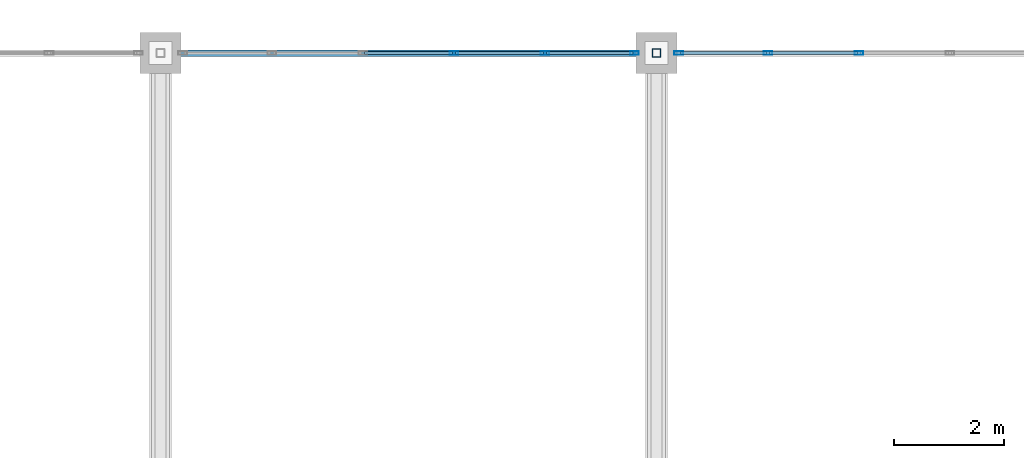
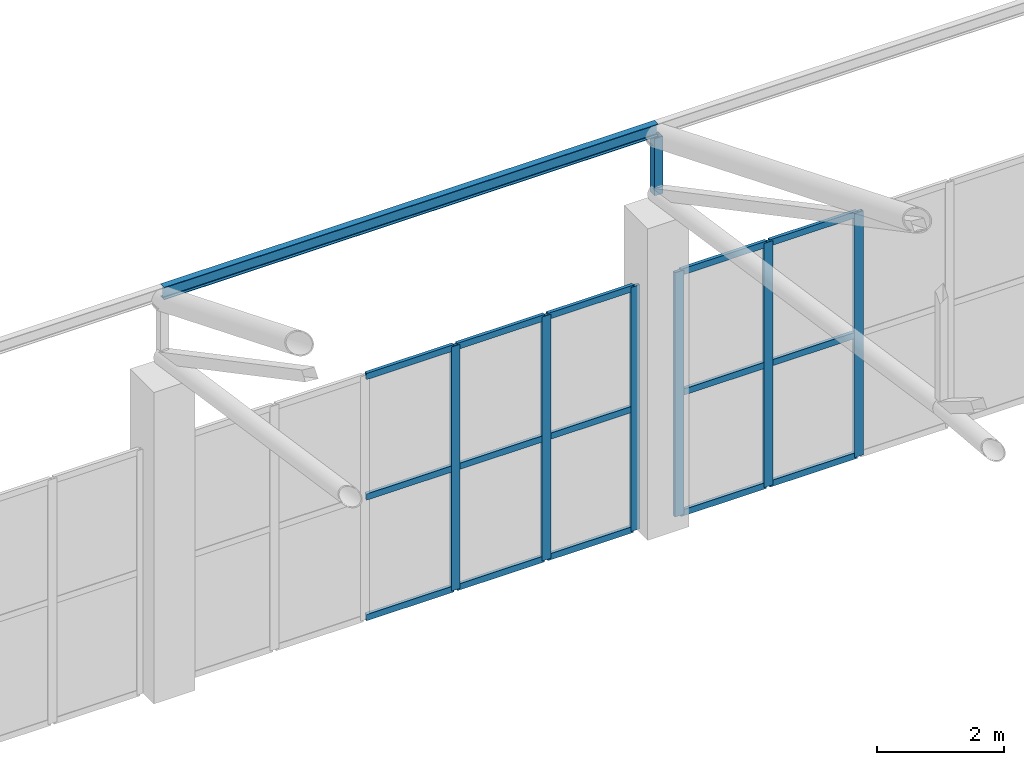
# One storey, part 160 of 223: 23 members, 2 elements without a shape of their own.
"""IFC4 building model written with IfcOpenShell, lengths in metres."""

from ifc_helpers import new_model, si_unit, direction, frame, origin, origin_2d, place, context, subcontext, project, spatial, hollow_rectangle, i_section, extrude, material, layer, layer_set, material_profile, profile_set, type_object, element, aggregate, save


model = new_model("IFC4")

# Units and contexts
model_context = context("Model", 3, precision=1e-05, world=origin(), true_north=direction((0.0, 1.0)))
body_context = subcontext(model_context, "Body", "Model", "MODEL_VIEW")
ifc_project = project(units=[si_unit("LENGTHUNIT", "METRE"), si_unit("AREAUNIT", "SQUARE_METRE"), si_unit("VOLUMEUNIT", "CUBIC_METRE"), si_unit("PLANEANGLEUNIT", "RADIAN"), si_unit("MASSUNIT", "GRAM", prefix="KILO")], contexts=[model_context])

# Site, building, storey
site_placement = place(None, origin())
site = spatial("IfcSite", under=ifc_project, at=site_placement, CompositionType="ELEMENT")
building_placement = place(site_placement, origin())
building = spatial("IfcBuilding", under=site, at=building_placement, Name="Dornveld Trade and Exhibition Forum", CompositionType="ELEMENT")
storey_placement = place(building_placement, frame((0.0, 0.0, 6.0)))
storey = spatial("IfcBuildingStorey", under=building, at=storey_placement, Name="L01", CompositionType="ELEMENT", Elevation=6.0)

# Curtain wall, members
ifc_material_1 = material(Name="Dark-bronze anodised aluminium and low-E glass", Category="aluminium")
ifc_layer_1 = layer(ifc_material_1, 0.18994140625)
ifc_layer_set_1 = layer_set([ifc_layer_1], Name="Dark-bronze anodised aluminium and low-E glass")
curtain_wall_type_1 = type_object("IfcCurtainWallType", Name="CW-SYS-16", PredefinedType="USERDEFINED", material=ifc_layer_set_1)
curtain_wall_1_placement = place(storey_placement, origin())
curtain_wall_1 = element("IfcCurtainWall", 1, at=curtain_wall_1_placement, inside=storey, type_object=curtain_wall_type_1, Name="L01 unitised curtain wall 142", ObjectType="UNITISED_CURTAIN_WALL", PredefinedType="USERDEFINED")
ifc_material_2 = material(Name="Dark-bronze anodised aluminium", Category="aluminium")
ifc_material_profile_1 = material_profile(ifc_material_2, hollow_rectangle(XDim=0.06005859375, YDim=0.159912109375, WallThickness=0.00390625, at=origin_2d()), Name="RHS 160x60x4")
ifc_profile_set_1 = profile_set([ifc_material_profile_1], Name="Dark-bronze anodised aluminium")
member_type_1 = type_object("IfcMemberType", Name="CW-MUL-160", PredefinedType="MULLION", material=ifc_profile_set_1)
member_1_placement = place(storey_placement, frame((143.59912109375, 162.0, -0.00390625), z_axis=(0.0, 0.0, 1.0), x_axis=(0.0, -1.0, 0.0)))
member_1 = element("IfcMember", 2, at=member_1_placement, type_object=member_type_1, Name="CW-16 mullion 1", PredefinedType="MULLION", context=body_context, shape_type="SweptSolid", body=[
    extrude(hollow_rectangle(XDim=0.06005859375, YDim=0.159912109375, WallThickness=0.00390625, at=origin_2d()), origin(), (0.0, 0.0, 1.0), 4.703857421875),
])
member_2_placement = place(storey_placement, frame((141.977294921875, 162.0, -0.00390625), z_axis=(0.0, 0.0, 1.0), x_axis=(0.0, -1.0, 0.0)))
member_2 = element("IfcMember", 3, at=member_2_placement, type_object=member_type_1, Name="CW-16 mullion 2", PredefinedType="MULLION", context=body_context, shape_type="SweptSolid", body=[
    extrude(hollow_rectangle(XDim=0.06005859375, YDim=0.159912109375, WallThickness=0.00390625, at=origin_2d()), origin(), (0.0, 0.0, 1.0), 4.703857421875),
])
member_3_placement = place(storey_placement, frame((140.32568359375, 162.0, -0.00390625), z_axis=(0.0, 0.0, 1.0), x_axis=(0.0, -1.0, 0.0)))
member_3 = element("IfcMember", 4, at=member_3_placement, type_object=member_type_1, Name="CW-16 mullion 3", PredefinedType="MULLION", context=body_context, shape_type="SweptSolid", body=[
    extrude(hollow_rectangle(XDim=0.06005859375, YDim=0.159912109375, WallThickness=0.00390625, at=origin_2d()), origin(), (0.0, 0.0, 1.0), 4.703857421875),
])

ifc_material_3 = material(Name="Dark-bronze anodised aluminium and low-E glass", Category="aluminium")
ifc_layer_2 = layer(ifc_material_3, 0.193115234375)
ifc_layer_set_2 = layer_set([ifc_layer_2], Name="Dark-bronze anodised aluminium and low-E glass")
curtain_wall_type_2 = type_object("IfcCurtainWallType", Name="CW-SYS-17", PredefinedType="USERDEFINED", material=ifc_layer_set_2)
curtain_wall_2_placement = place(storey_placement, origin())
curtain_wall_2 = element("IfcCurtainWall", 5, at=curtain_wall_2_placement, inside=storey, type_object=curtain_wall_type_2, Name="L01 unitised curtain wall 143", ObjectType="UNITISED_CURTAIN_WALL", PredefinedType="USERDEFINED")
member_4_placement = place(storey_placement, frame((147.67431640625, 162.0, -0.00390625), z_axis=(0.0, 0.0, 1.0), x_axis=(0.0, -1.0, 0.0)))
member_4 = element("IfcMember", 6, at=member_4_placement, type_object=member_type_1, Name="CW-17 mullion 4", PredefinedType="MULLION", context=body_context, shape_type="SweptSolid", body=[
    extrude(hollow_rectangle(XDim=0.06005859375, YDim=0.159912109375, WallThickness=0.00390625, at=origin_2d()), origin(), (0.0, 0.0, 1.0), 4.703857421875),
])
member_5_placement = place(storey_placement, frame((146.022705078125, 162.0, -0.00390625), z_axis=(0.0, 0.0, 1.0), x_axis=(0.0, -1.0, 0.0)))
member_5 = element("IfcMember", 7, at=member_5_placement, type_object=member_type_1, Name="CW-17 mullion 5", PredefinedType="MULLION", context=body_context, shape_type="SweptSolid", body=[
    extrude(hollow_rectangle(XDim=0.06005859375, YDim=0.159912109375, WallThickness=0.00390625, at=origin_2d()), origin(), (0.0, 0.0, 1.0), 4.703857421875),
])
member_6_placement = place(storey_placement, frame((144.40087890625, 162.0, -0.00390625), z_axis=(0.0, 0.0, 1.0), x_axis=(0.0, -1.0, 0.0)))
member_6 = element("IfcMember", 8, at=member_6_placement, type_object=member_type_1, Name="CW-17 mullion 6", PredefinedType="MULLION", context=body_context, shape_type="SweptSolid", body=[
    extrude(hollow_rectangle(XDim=0.06005859375, YDim=0.159912109375, WallThickness=0.00390625, at=origin_2d()), origin(), (0.0, 0.0, 1.0), 4.703857421875),
])

# Member
ifc_material_4 = material(Name="Dark-bronze anodised aluminium", Category="aluminium")
ifc_material_profile_2 = material_profile(ifc_material_4, hollow_rectangle(XDim=0.06005859375, YDim=0.1201171875, WallThickness=0.00390625, at=origin_2d()), Name="RHS 120x60x4")
ifc_profile_set_2 = profile_set([ifc_material_profile_2], Name="Dark-bronze anodised aluminium")
member_type_2 = type_object("IfcMemberType", Name="CW-TRN-120", PredefinedType="USERDEFINED", material=ifc_profile_set_2)
member_7_placement = place(storey_placement, frame((143.569091796875, 162.0, 0.02587890625), z_axis=(-1.0, 0.0, 0.0), x_axis=(0.0, -1.0, 0.0)))
member_7 = element("IfcMember", 9, at=member_7_placement, type_object=member_type_2, Name="CW-16 transom 1.1", ObjectType="TRANSOM", PredefinedType="USERDEFINED", context=body_context, shape_type="SweptSolid", body=[
    extrude(hollow_rectangle(XDim=0.06005859375, YDim=0.1201171875, WallThickness=0.00390625, at=origin_2d()), origin(), (0.0, 0.0, 1.0), 1.561767578125),
])

member_8_placement = place(storey_placement, frame((143.569091796875, 162.0, 2.347900390625), z_axis=(-1.0, 0.0, 0.0), x_axis=(0.0, -1.0, 0.0)))
member_8 = element("IfcMember", 10, at=member_8_placement, type_object=member_type_2, Name="CW-16 transom 1.2", ObjectType="TRANSOM", PredefinedType="USERDEFINED", context=body_context, shape_type="SweptSolid", body=[
    extrude(hollow_rectangle(XDim=0.06005859375, YDim=0.1201171875, WallThickness=0.00390625, at=origin_2d()), origin(), (0.0, 0.0, 1.0), 1.561767578125),
])

member_9_placement = place(storey_placement, frame((143.569091796875, 162.0, 4.669921875), z_axis=(-1.0, 0.0, 0.0), x_axis=(0.0, -1.0, 0.0)))
member_9 = element("IfcMember", 11, at=member_9_placement, type_object=member_type_2, Name="CW-16 transom 1.3", ObjectType="TRANSOM", PredefinedType="USERDEFINED", context=body_context, shape_type="SweptSolid", body=[
    extrude(hollow_rectangle(XDim=0.06005859375, YDim=0.1201171875, WallThickness=0.00390625, at=origin_2d()), origin(), (0.0, 0.0, 1.0), 1.561767578125),
])

member_10_placement = place(storey_placement, frame((141.947509765625, 162.0, 0.02587890625), z_axis=(-1.0, 0.0, 0.0), x_axis=(0.0, -1.0, 0.0)))
member_10 = element("IfcMember", 12, at=member_10_placement, type_object=member_type_2, Name="CW-16 transom 2.1", ObjectType="TRANSOM", PredefinedType="USERDEFINED", context=body_context, shape_type="SweptSolid", body=[
    extrude(hollow_rectangle(XDim=0.06005859375, YDim=0.1201171875, WallThickness=0.00390625, at=origin_2d()), origin(), (0.0, 0.0, 1.0), 1.591796875),
])

member_11_placement = place(storey_placement, frame((141.947509765625, 162.0, 2.347900390625), z_axis=(-1.0, 0.0, 0.0), x_axis=(0.0, -1.0, 0.0)))
member_11 = element("IfcMember", 13, at=member_11_placement, type_object=member_type_2, Name="CW-16 transom 2.2", ObjectType="TRANSOM", PredefinedType="USERDEFINED", context=body_context, shape_type="SweptSolid", body=[
    extrude(hollow_rectangle(XDim=0.06005859375, YDim=0.1201171875, WallThickness=0.00390625, at=origin_2d()), origin(), (0.0, 0.0, 1.0), 1.591796875),
])

member_12_placement = place(storey_placement, frame((141.947509765625, 162.0, 4.669921875), z_axis=(-1.0, 0.0, 0.0), x_axis=(0.0, -1.0, 0.0)))
member_12 = element("IfcMember", 14, at=member_12_placement, type_object=member_type_2, Name="CW-16 transom 2.3", ObjectType="TRANSOM", PredefinedType="USERDEFINED", context=body_context, shape_type="SweptSolid", body=[
    extrude(hollow_rectangle(XDim=0.06005859375, YDim=0.1201171875, WallThickness=0.00390625, at=origin_2d()), origin(), (0.0, 0.0, 1.0), 1.591796875),
])

member_13_placement = place(storey_placement, frame((140.2958984375, 162.0, 0.02587890625), z_axis=(-1.0, 0.0, 0.0), x_axis=(0.0, -1.0, 0.0)))
member_13 = element("IfcMember", 15, at=member_13_placement, type_object=member_type_2, Name="CW-16 transom 3.1", ObjectType="TRANSOM", PredefinedType="USERDEFINED", context=body_context, shape_type="SweptSolid", body=[
    extrude(hollow_rectangle(XDim=0.06005859375, YDim=0.1201171875, WallThickness=0.00390625, at=origin_2d()), origin(), (0.0, 0.0, 1.0), 1.591796875),
])

member_14_placement = place(storey_placement, frame((140.2958984375, 162.0, 2.347900390625), z_axis=(-1.0, 0.0, 0.0), x_axis=(0.0, -1.0, 0.0)))
member_14 = element("IfcMember", 16, at=member_14_placement, type_object=member_type_2, Name="CW-16 transom 3.2", ObjectType="TRANSOM", PredefinedType="USERDEFINED", context=body_context, shape_type="SweptSolid", body=[
    extrude(hollow_rectangle(XDim=0.06005859375, YDim=0.1201171875, WallThickness=0.00390625, at=origin_2d()), origin(), (0.0, 0.0, 1.0), 1.591796875),
])

member_15_placement = place(storey_placement, frame((140.2958984375, 162.0, 4.669921875), z_axis=(-1.0, 0.0, 0.0), x_axis=(0.0, -1.0, 0.0)))
member_15 = element("IfcMember", 17, at=member_15_placement, type_object=member_type_2, Name="CW-16 transom 3.3", ObjectType="TRANSOM", PredefinedType="USERDEFINED", context=body_context, shape_type="SweptSolid", body=[
    extrude(hollow_rectangle(XDim=0.06005859375, YDim=0.1201171875, WallThickness=0.00390625, at=origin_2d()), origin(), (0.0, 0.0, 1.0), 1.591796875),
])

aggregate(curtain_wall_1, [member_1, member_2, member_3, member_7, member_8, member_9, member_10, member_11, member_12, member_13, member_14, member_15])

member_16_placement = place(storey_placement, frame((147.644287109375, 162.0, 0.02587890625), z_axis=(-1.0, 0.0, 0.0), x_axis=(0.0, -1.0, 0.0)))
member_16 = element("IfcMember", 18, at=member_16_placement, type_object=member_type_2, Name="CW-17 transom 4.1", ObjectType="TRANSOM", PredefinedType="USERDEFINED", context=body_context, shape_type="SweptSolid", body=[
    extrude(hollow_rectangle(XDim=0.06005859375, YDim=0.1201171875, WallThickness=0.00390625, at=origin_2d()), origin(), (0.0, 0.0, 1.0), 1.591796875),
])

member_17_placement = place(storey_placement, frame((147.644287109375, 162.0, 2.347900390625), z_axis=(-1.0, 0.0, 0.0), x_axis=(0.0, -1.0, 0.0)))
member_17 = element("IfcMember", 19, at=member_17_placement, type_object=member_type_2, Name="CW-17 transom 4.2", ObjectType="TRANSOM", PredefinedType="USERDEFINED", context=body_context, shape_type="SweptSolid", body=[
    extrude(hollow_rectangle(XDim=0.06005859375, YDim=0.1201171875, WallThickness=0.00390625, at=origin_2d()), origin(), (0.0, 0.0, 1.0), 1.591796875),
])

member_18_placement = place(storey_placement, frame((147.644287109375, 162.0, 4.669921875), z_axis=(-1.0, 0.0, 0.0), x_axis=(0.0, -1.0, 0.0)))
member_18 = element("IfcMember", 20, at=member_18_placement, type_object=member_type_2, Name="CW-17 transom 4.3", ObjectType="TRANSOM", PredefinedType="USERDEFINED", context=body_context, shape_type="SweptSolid", body=[
    extrude(hollow_rectangle(XDim=0.06005859375, YDim=0.1201171875, WallThickness=0.00390625, at=origin_2d()), origin(), (0.0, 0.0, 1.0), 1.591796875),
])

member_19_placement = place(storey_placement, frame((145.99267578125, 162.0, 0.02587890625), z_axis=(-1.0, 0.0, 0.0), x_axis=(0.0, -1.0, 0.0)))
member_19 = element("IfcMember", 21, at=member_19_placement, type_object=member_type_2, Name="CW-17 transom 5.1", ObjectType="TRANSOM", PredefinedType="USERDEFINED", context=body_context, shape_type="SweptSolid", body=[
    extrude(hollow_rectangle(XDim=0.06005859375, YDim=0.1201171875, WallThickness=0.00390625, at=origin_2d()), origin(), (0.0, 0.0, 1.0), 1.561767578125),
])

member_20_placement = place(storey_placement, frame((145.99267578125, 162.0, 2.347900390625), z_axis=(-1.0, 0.0, 0.0), x_axis=(0.0, -1.0, 0.0)))
member_20 = element("IfcMember", 22, at=member_20_placement, type_object=member_type_2, Name="CW-17 transom 5.2", ObjectType="TRANSOM", PredefinedType="USERDEFINED", context=body_context, shape_type="SweptSolid", body=[
    extrude(hollow_rectangle(XDim=0.06005859375, YDim=0.1201171875, WallThickness=0.00390625, at=origin_2d()), origin(), (0.0, 0.0, 1.0), 1.561767578125),
])

member_21_placement = place(storey_placement, frame((145.99267578125, 162.0, 4.669921875), z_axis=(-1.0, 0.0, 0.0), x_axis=(0.0, -1.0, 0.0)))
member_21 = element("IfcMember", 23, at=member_21_placement, type_object=member_type_2, Name="CW-17 transom 5.3", ObjectType="TRANSOM", PredefinedType="USERDEFINED", context=body_context, shape_type="SweptSolid", body=[
    extrude(hollow_rectangle(XDim=0.06005859375, YDim=0.1201171875, WallThickness=0.00390625, at=origin_2d()), origin(), (0.0, 0.0, 1.0), 1.561767578125),
])

aggregate(curtain_wall_2, [member_4, member_5, member_6, member_16, member_17, member_18, member_19, member_20, member_21])

# Members
ifc_material_5 = material(Name="Steel S355J2", Category="steel")
ifc_material_profile_3 = material_profile(ifc_material_5, hollow_rectangle(XDim=0.14990234375, YDim=0.14990234375, WallThickness=0.008056640625, at=origin_2d()), Name="SHS 150x150x8")
ifc_profile_set_3 = profile_set([ifc_material_profile_3], Name="Steel S355J2")
member_type_3 = type_object("IfcMemberType", Name="MEM-ARCH-STR", PredefinedType="STRUT", material=ifc_profile_set_3)
member_22_placement = place(storey_placement, frame((144.0, 162.0, 6.35009765625), z_axis=(0.0, 0.0, 1.0), x_axis=(1.0, 0.0, 0.0)))
element("IfcMember", 24, at=member_22_placement, inside=storey, type_object=member_type_3, Name="H1 truss 6 end strut", PredefinedType="STRUT", context=body_context, shape_type="SweptSolid", body=[
    extrude(hollow_rectangle(XDim=0.14990234375, YDim=0.14990234375, WallThickness=0.008056640625, at=origin_2d()), origin(), (0.0, 0.0, 1.0), 1.099853515625),
])
ifc_material_6 = material(Name="Steel S355J2", Category="steel")
ifc_material_profile_4 = material_profile(ifc_material_6, i_section(OverallWidth=0.1201171875, OverallDepth=0.239990234375, WebThickness=0.006103515625, FlangeThickness=0.009765625, FilletRadius=0.014892578125, at=origin_2d()), Name="IPE 240")
ifc_profile_set_4 = profile_set([ifc_material_profile_4], Name="Steel S355J2")
member_type_4 = type_object("IfcMemberType", Name="MEM-PURLIN-240", PredefinedType="PURLIN", material=ifc_profile_set_4)
member_23_placement = place(storey_placement, frame((135.0, 162.0, 7.58203125), z_axis=(1.0, 0.0, 0.0), x_axis=(0.0, 1.0, 0.0)))
element("IfcMember", 25, at=member_23_placement, inside=storey, type_object=member_type_4, Name="H1 bay 5 roof purlin 7", PredefinedType="PURLIN", context=body_context, shape_type="SweptSolid", body=[
    extrude(i_section(OverallWidth=0.1201171875, OverallDepth=0.239990234375, WebThickness=0.006103515625, FlangeThickness=0.009765625, FilletRadius=0.014892578125, at=origin_2d()), origin(), (0.0, 0.0, 1.0), 9.0),
])

save(model, "model.ifc")
